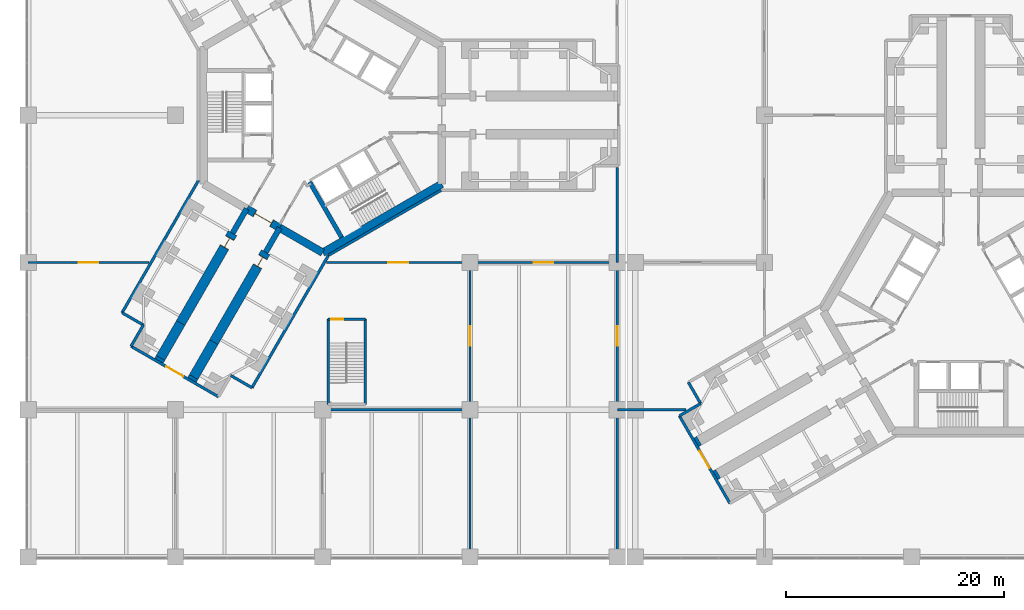
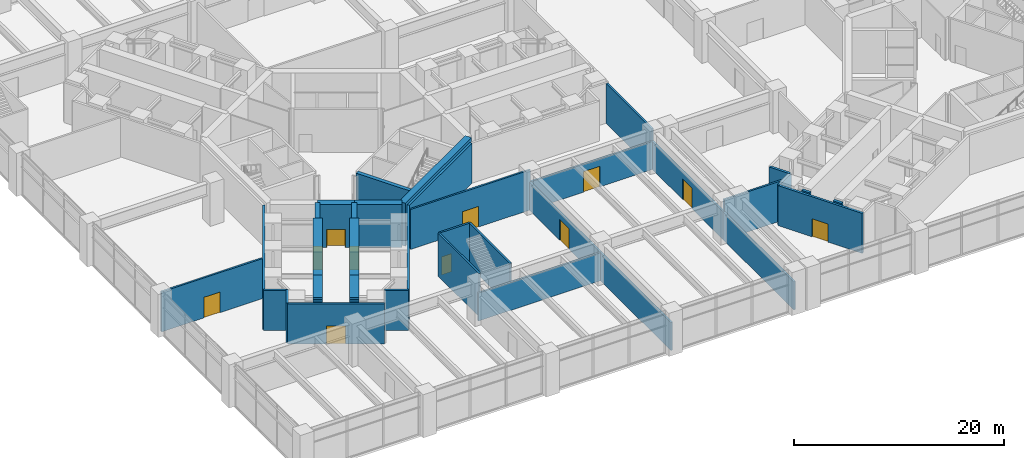
# One storey, part 21 of 31: 37 walls, 11 doors, 11 openings.
"""IFC4 building model written with IfcOpenShell, lengths in metres."""

from ifc_helpers import new_model, si_unit, direction, frame, frame_2d, origin, place, context, subcontext, project, spatial, rectangle, extrude, material, layer, layer_set, type_object, element, fill, save


model = new_model("IFC4")

# Units and contexts
model_context = context("Model", 3, precision=1e-05, world=origin(), true_north=direction((0.0, 1.0)))
body_context = subcontext(model_context, "Body", "Model", "MODEL_VIEW")
ifc_project = project(units=[si_unit("LENGTHUNIT", "METRE"), si_unit("AREAUNIT", "SQUARE_METRE"), si_unit("VOLUMEUNIT", "CUBIC_METRE"), si_unit("PLANEANGLEUNIT", "RADIAN"), si_unit("MASSUNIT", "GRAM", prefix="KILO")], contexts=[model_context])

# Site, building, storey
site_placement = place(None, origin())
site = spatial("IfcSite", under=ifc_project, at=site_placement, CompositionType="ELEMENT")
building_placement = place(site_placement, origin())
building = spatial("IfcBuilding", under=site, at=building_placement, Name="Upepo Twin Towers", CompositionType="ELEMENT")
storey_placement = place(building_placement, frame((0.0, 0.0, 15.5)))
storey = spatial("IfcBuildingStorey", under=building, at=storey_placement, Name="L03", CompositionType="ELEMENT", Elevation=15.5)

# Walls
ifc_material_1 = material(Name="Dense concrete blockwork", Category="masonry")
ifc_layer_1 = layer(ifc_material_1, 0.89990234375)
ifc_layer_set_1 = layer_set([ifc_layer_1], Name="Buttress closer 900, blockwork with fire-stopping to the curtain wall")
wall_type_1 = type_object("IfcWallType", Name="Buttress closer 900, blockwork with fire-stopping to the curtain wall", PredefinedType="PARTITIONING", material=ifc_layer_set_1)
wall_1_placement = place(storey_placement, frame((-11.83447265625, -23.997802734375, 0.0), z_axis=(0.0, 0.0, 1.0), x_axis=(-0.499816412211, -0.866131372301, 0.0)))
element("IfcWall", 1, at=wall_1_placement, inside=storey, type_object=wall_type_1, Name="T1 L03 wing C buttress closer L", PredefinedType="PARTITIONING", context=body_context, shape_type="SweptSolid", body=[
    extrude(rectangle(XDim=0.2998046875, YDim=0.89990234375, at=frame_2d((0.14990234375, 0.0))), origin(), (0.0, 0.0, 1.0), 4.800048828125),
])
for number, where, z_axis, x_axis, name in (
    (2, (-14.865478515625, -22.247802734375, 0.0), (0.0, 0.0, 1.0), (-0.500426713919, -0.865778900179, 0.0), "T1 L03 wing C buttress closer R"),
    (3, (36.252197265625, -32.865478515625, 0.0), (0.0, 0.0, 1.0), (-0.865778900179, -0.500426713919, 0.0), "T2 L03 wing B buttress closer L"),
):
    element("IfcWall", number, at=place(storey_placement, frame(where, z_axis=z_axis, x_axis=x_axis)), inside=storey, type_object=wall_type_1, Name=name, PredefinedType="PARTITIONING", context=body_context, shape_type="SweptSolid", body=[
        extrude(rectangle(XDim=0.300048828125, YDim=0.89990234375, at=frame_2d((0.14990234375, 0.0))), origin(), (0.0, 0.0, 1.0), 4.800048828125),
    ])
wall_2_placement = place(storey_placement, frame((34.502197265625, -29.83447265625, 0.0), z_axis=(0.0, 0.0, 1.0), x_axis=(-0.866131372301, -0.499816412211, 0.0)))
element("IfcWall", 4, at=wall_2_placement, inside=storey, type_object=wall_type_1, Name="T2 L03 wing B buttress closer R", PredefinedType="PARTITIONING", context=body_context, shape_type="SweptSolid", body=[
    extrude(rectangle(XDim=0.2998046875, YDim=0.89990234375, at=frame_2d((0.14990234375, 0.0))), origin(), (0.0, 0.0, 1.0), 4.800048828125),
])
ifc_material_2 = material(Name="Concrete C60/75", Category="concrete")
ifc_layer_2 = layer(ifc_material_2, 0.5)
ifc_layer_set_2 = layer_set([ifc_layer_2], Name="Concrete C60/75")
wall_type_2 = type_object("IfcWallType", Name="Buttress wall 500 RC", PredefinedType="SHEAR", material=ifc_layer_set_2)
for number, where, z_axis, x_axis, name in (
    (5, (-3.938720703125, -10.32177734375, 0.0), (0.0, 0.0, 1.0), (-0.499918158782, -0.866072649678, 0.0), "T1 wing C buttress wall L"),
    (6, (-6.9697265625, -8.57177734375, 0.0), (0.0, 0.0, 1.0), (-0.499988811324, -0.866031863473, 0.0), "T1 wing C buttress wall R"),
):
    element("IfcWall", number, at=place(storey_placement, frame(where, z_axis=z_axis, x_axis=x_axis)), inside=storey, type_object=wall_type_2, Name=name, PredefinedType="SHEAR", context=body_context, shape_type="SweptSolid", body=[
        extrude(rectangle(XDim=2.591796875, YDim=0.5, at=frame_2d((1.2958984375, 0.0))), origin(), (0.0, 0.0, 1.0), 5.0),
    ])

# Wall, opening, door
ifc_material_3 = material(Name="Concrete C60/75", Category="concrete")
ifc_layer_3 = layer(ifc_material_3, 0.89990234375)
ifc_layer_set_3 = layer_set([ifc_layer_3], Name="Concrete C60/75")
wall_type_3 = type_object("IfcWallType", Name="Buttress wall 900 RC", PredefinedType="SHEAR", material=ifc_layer_set_3)
wall_3_placement = place(storey_placement, frame((-5.234375, -12.56640625, 0.0), z_axis=(0.0, 0.0, 1.0), x_axis=(-0.499997557548, -0.86602681393, 0.0)))
wall_3 = element("IfcWall", 7, at=wall_3_placement, inside=storey, type_object=wall_type_3, Name="T1 wing C buttress wall L part 2", PredefinedType="SHEAR", context=body_context, shape_type="SweptSolid", body=[
    extrude(rectangle(XDim=9.5, YDim=0.89990234375, at=frame_2d((4.75, 0.0))), origin(), (0.0, 0.0, 1.0), 5.0),
])
opening_1_placement = place(wall_3_placement, frame((0.5, 0.0, 0.0)))
opening_1 = element("IfcOpeningElement", 8, at=opening_1_placement, cuts=wall_3, Name="Opening D1", PredefinedType="OPENING", context=body_context, shape_type="SweptSolid", body=[
    extrude(rectangle(XDim=1.0, YDim=2.10009765625, at=frame_2d((0.5, 1.050048828125))), frame((0.0, 0.4599609375, 0.0), z_axis=(0.0, -1.0, 0.0), x_axis=(1.0, 0.0, 0.0)), (0.0, 0.0, 1.0), 0.919921875),
])
ifc_material_4 = material(Name="Timber doorset", Category="wood")
door_type_1 = type_object("IfcDoorType", Name="Room door 1000 FD30", OperationType="SINGLE_SWING_LEFT", PredefinedType="DOOR", material=ifc_material_4)
door_1_placement = place(opening_1_placement, origin())
door_1 = element("IfcDoor", 9, at=door_1_placement, inside=storey, type_object=door_type_1, Name="T1 L03 research office door", OperationType="SINGLE_SWING_LEFT", OverallHeight=2.10009765625, OverallWidth=1.0, PredefinedType="DOOR", context=body_context, shape_type="SweptSolid", body=[
    extrude(rectangle(XDim=0.92, YDim=2.06009765625, at=frame_2d((0.5, 1.030029296875))), frame((0.0, 0.02490234375, 0.0), z_axis=(0.0, -1.0, 0.0), x_axis=(1.0, 0.0, 0.0)), (0.0, 0.0, 1.0), 0.050048828125),
    extrude(rectangle(XDim=0.04, YDim=2.10009765625, at=frame_2d((0.02001953125, 1.050048828125))), frame((0.0, 0.44970703125, 0.0), z_axis=(0.0, -1.0, 0.0), x_axis=(1.0, 0.0, 0.0)), (0.0, 0.0, 1.0), 0.8994140625),
    extrude(rectangle(XDim=0.04, YDim=2.10009765625, at=frame_2d((0.97998046875, 1.050048828125))), frame((0.0, 0.44970703125, 0.0), z_axis=(0.0, -1.0, 0.0), x_axis=(1.0, 0.0, 0.0)), (0.0, 0.0, 1.0), 0.8994140625),
    extrude(rectangle(XDim=0.92, YDim=0.04, at=frame_2d((0.5, 2.080078125))), frame((0.0, 0.44970703125, 0.0), z_axis=(0.0, -1.0, 0.0), x_axis=(1.0, 0.0, 0.0)), (0.0, 0.0, 1.0), 0.8994140625),
])
fill(opening_1, door_1)

# Wall
wall_4_placement = place(storey_placement, frame((-9.984375, -20.793701171875, 0.0), z_axis=(0.0, 0.0, 1.0), x_axis=(-0.500042316284, -0.866000971088, 0.0)))
element("IfcWall", 10, at=wall_4_placement, inside=storey, type_object=wall_type_3, Name="T1 wing C buttress wall L part 3", PredefinedType="SHEAR", context=body_context, shape_type="SweptSolid", body=[
    extrude(rectangle(XDim=3.699951171875, YDim=0.89990234375, at=frame_2d((1.85009765625, 0.0))), origin(), (0.0, 0.0, 1.0), 5.0),
])

# Wall, opening, door
wall_5_placement = place(storey_placement, frame((-8.265625, -10.81640625, 0.0), z_axis=(0.0, 0.0, 1.0), x_axis=(-0.499997557548, -0.86602681393, 0.0)))
wall_5 = element("IfcWall", 11, at=wall_5_placement, inside=storey, type_object=wall_type_3, Name="T1 wing C buttress wall R part 2", PredefinedType="SHEAR", context=body_context, shape_type="SweptSolid", body=[
    extrude(rectangle(XDim=9.5, YDim=0.89990234375, at=frame_2d((4.75, 0.0))), origin(), (0.0, 0.0, 1.0), 5.0),
])
opening_2_placement = place(wall_5_placement, frame((0.5, 0.0, 0.0)))
opening_2 = element("IfcOpeningElement", 12, at=opening_2_placement, cuts=wall_5, Name="Opening D1", PredefinedType="OPENING", context=body_context, shape_type="SweptSolid", body=[
    extrude(rectangle(XDim=1.0, YDim=2.10009765625, at=frame_2d((0.5, 1.050048828125))), frame((0.0, 0.4599609375, 0.0), z_axis=(0.0, -1.0, 0.0), x_axis=(1.0, 0.0, 0.0)), (0.0, 0.0, 1.0), 0.919921875),
])
door_2_placement = place(opening_2_placement, origin())
door_2 = element("IfcDoor", 13, at=door_2_placement, inside=storey, type_object=door_type_1, Name="T1 L03 research office door", OperationType="SINGLE_SWING_LEFT", OverallHeight=2.10009765625, OverallWidth=1.0, PredefinedType="DOOR", context=body_context, shape_type="SweptSolid", body=[
    extrude(rectangle(XDim=0.92, YDim=2.06009765625, at=frame_2d((0.5, 1.030029296875))), frame((0.0, 0.02490234375, 0.0), z_axis=(0.0, -1.0, 0.0), x_axis=(1.0, 0.0, 0.0)), (0.0, 0.0, 1.0), 0.050048828125),
    extrude(rectangle(XDim=0.04, YDim=2.10009765625, at=frame_2d((0.02001953125, 1.050048828125))), frame((0.0, 0.44970703125, 0.0), z_axis=(0.0, -1.0, 0.0), x_axis=(1.0, 0.0, 0.0)), (0.0, 0.0, 1.0), 0.8994140625),
    extrude(rectangle(XDim=0.04, YDim=2.10009765625, at=frame_2d((0.97998046875, 1.050048828125))), frame((0.0, 0.44970703125, 0.0), z_axis=(0.0, -1.0, 0.0), x_axis=(1.0, 0.0, 0.0)), (0.0, 0.0, 1.0), 0.8994140625),
    extrude(rectangle(XDim=0.92, YDim=0.04, at=frame_2d((0.5, 2.080078125))), frame((0.0, 0.44970703125, 0.0), z_axis=(0.0, -1.0, 0.0), x_axis=(1.0, 0.0, 0.0)), (0.0, 0.0, 1.0), 0.8994140625),
])
fill(opening_2, door_2)

# Wall
wall_6_placement = place(storey_placement, frame((-13.015625, -19.043701171875, 0.0), z_axis=(0.0, 0.0, 1.0), x_axis=(-0.499992827086, -0.866029545028, 0.0)))
element("IfcWall", 14, at=wall_6_placement, inside=storey, type_object=wall_type_3, Name="T1 wing C buttress wall R part 3", PredefinedType="SHEAR", context=body_context, shape_type="SweptSolid", body=[
    extrude(rectangle(XDim=3.69970703125, YDim=0.89990234375, at=frame_2d((1.849853515625, 0.0))), origin(), (0.0, 0.0, 1.0), 5.0),
])

# Wall, opening, door
ifc_material_5 = material(Name="Concrete C60/75", Category="concrete")
ifc_layer_4 = layer(ifc_material_5, 0.699951171875)
ifc_layer_set_4 = layer_set([ifc_layer_4], Name="Concrete C60/75")
wall_type_4 = type_object("IfcWallType", Name="Core wall 700 RC", PredefinedType="SHEAR", material=ifc_layer_set_4)
wall_7_placement = place(storey_placement, frame((-6.9697265625, -8.57177734375, 0.0), z_axis=(0.0, 0.0, 1.0), x_axis=(0.866019471182, -0.500010275428, 0.0)))
wall_7 = element("IfcWall", 15, at=wall_7_placement, inside=storey, type_object=wall_type_4, Name="T1 core wall 240", PredefinedType="SHEAR", context=body_context, shape_type="SweptSolid", body=[
    extrude(rectangle(XDim=3.5, YDim=0.699951171875, at=frame_2d((1.75, 0.0))), origin(), (0.0, 0.0, 1.0), 5.0),
])
opening_3_placement = place(wall_7_placement, frame((0.85009765625, 0.0, 0.0)))
opening_3 = element("IfcOpeningElement", 16, at=opening_3_placement, cuts=wall_7, Name="Opening D2", PredefinedType="OPENING", context=body_context, shape_type="SweptSolid", body=[
    extrude(rectangle(XDim=1.800048828125, YDim=2.10009765625, at=frame_2d((0.89990234375, 1.050048828125))), frame((0.0, 0.35986328125, 0.0), z_axis=(0.0, -1.0, 0.0), x_axis=(1.0, 0.0, 0.0)), (0.0, 0.0, 1.0), 0.719970703125),
])
ifc_material_6 = material(Name="Timber doorset", Category="wood")
door_type_2 = type_object("IfcDoorType", Name="Corridor double door 1800 FD60", OperationType="DOUBLE_DOOR_DOUBLE_SWING", PredefinedType="DOOR", material=ifc_material_6)
door_3_placement = place(opening_3_placement, origin())
door_3 = element("IfcDoor", 17, at=door_3_placement, inside=storey, type_object=door_type_2, Name="T1 L03 wing C corridor door", OperationType="DOUBLE_DOOR_DOUBLE_SWING", OverallHeight=2.10009765625, OverallWidth=1.800048828125, PredefinedType="DOOR", context=body_context, shape_type="SweptSolid", body=[
    extrude(rectangle(XDim=1.720048828125, YDim=2.06009765625, at=frame_2d((0.89990234375, 1.030029296875))), frame((0.0, 0.02490234375, 0.0), z_axis=(0.0, -1.0, 0.0), x_axis=(1.0, 0.0, 0.0)), (0.0, 0.0, 1.0), 0.050048828125),
    extrude(rectangle(XDim=0.04, YDim=2.10009765625, at=frame_2d((0.02001953125, 1.050048828125))), frame((0.0, 0.349609375, 0.0), z_axis=(0.0, -1.0, 0.0), x_axis=(1.0, 0.0, 0.0)), (0.0, 0.0, 1.0), 0.699462890625),
    extrude(rectangle(XDim=0.04, YDim=2.10009765625, at=frame_2d((1.780029296875, 1.050048828125))), frame((0.0, 0.349609375, 0.0), z_axis=(0.0, -1.0, 0.0), x_axis=(1.0, 0.0, 0.0)), (0.0, 0.0, 1.0), 0.699462890625),
    extrude(rectangle(XDim=1.720048828125, YDim=0.04, at=frame_2d((0.89990234375, 2.080078125))), frame((0.0, 0.349609375, 0.0), z_axis=(0.0, -1.0, 0.0), x_axis=(1.0, 0.0, 0.0)), (0.0, 0.0, 1.0), 0.699462890625),
])
fill(opening_3, door_3)

# Walls
wall_8_placement = place(storey_placement, frame((-3.938720703125, -10.32177734375, 0.0), z_axis=(0.0, 0.0, 1.0), x_axis=(0.866011268655, -0.500024481964, 0.0)))
element("IfcWall", 18, at=wall_8_placement, inside=storey, type_object=wall_type_4, Name="T1 core wall 240 L", PredefinedType="SHEAR", context=body_context, shape_type="SweptSolid", body=[
    extrude(rectangle(XDim=4.548095703125, YDim=0.699951171875, at=frame_2d((2.27392578125, 0.0))), origin(), (0.0, 0.0, 1.0), 5.0),
])
wall_9_placement = place(storey_placement, frame((0.0, -12.595947265625, 0.0), z_axis=(0.0, 0.0, 1.0), x_axis=(0.866021940709, 0.500005998175, 0.0)))
element("IfcWall", 19, at=wall_9_placement, inside=storey, type_object=wall_type_4, Name="T1 core wall 300", PredefinedType="SHEAR", context=body_context, shape_type="SweptSolid", body=[
    extrude(rectangle(XDim=12.595947265625, YDim=0.699951171875, at=frame_2d((6.2978515625, 0.0))), origin(), (0.0, 0.0, 1.0), 5.0),
])

# Wall, opening, door
ifc_material_7 = material(Name="Concrete blockwork", Category="masonry")
ifc_layer_5 = layer(ifc_material_7, 0.199951171875)
ifc_layer_set_5 = layer_set([ifc_layer_5], Name="Podium partition 200 blockwork")
wall_type_5 = type_object("IfcWallType", Name="Podium partition 200 blockwork", PredefinedType="PARTITIONING", material=ifc_layer_set_5)
wall_10_placement = place(storey_placement, frame((-27.0, -13.5, 0.0), z_axis=(0.0, 0.0, 1.0), x_axis=(1.0, 0.0, 0.0)))
wall_10 = element("IfcWall", 20, at=wall_10_placement, inside=storey, type_object=wall_type_5, Name="L03 podium wall Y02", PredefinedType="PARTITIONING", context=body_context, shape_type="SweptSolid", body=[
    extrude(rectangle(XDim=11.065185546875, YDim=0.199951171875, at=frame_2d((5.53271484375, 0.0))), origin(), (0.0, 0.0, 1.0), 4.64990234375),
])
opening_4_placement = place(wall_10_placement, frame((4.632568359375, 0.0, 0.0)))
opening_4 = element("IfcOpeningElement", 21, at=opening_4_placement, cuts=wall_10, Name="Opening D10", PredefinedType="OPENING", context=body_context, shape_type="SweptSolid", body=[
    extrude(rectangle(XDim=1.800048828125, YDim=2.39990234375, at=frame_2d((0.89990234375, 1.199951171875))), frame((0.0, 0.10986328125, 0.0), z_axis=(0.0, -1.0, 0.0), x_axis=(1.0, 0.0, 0.0)), (0.0, 0.0, 1.0), 0.219970703125),
])
ifc_material_8 = material(Name="Timber doorset", Category="wood")
door_type_3 = type_object("IfcDoorType", Name="Podium double door 1800", OperationType="DOUBLE_DOOR_DOUBLE_SWING", PredefinedType="DOOR", material=ifc_material_8)
door_4_placement = place(opening_4_placement, origin())
door_4 = element("IfcDoor", 22, at=door_4_placement, inside=storey, type_object=door_type_3, Name="L03 staff offices 3.01 door", OperationType="DOUBLE_DOOR_DOUBLE_SWING", OverallHeight=2.39990234375, OverallWidth=1.800048828125, PredefinedType="DOOR", context=body_context, shape_type="SweptSolid", body=[
    extrude(rectangle(XDim=1.800048828125, YDim=2.39990234375, at=frame_2d((0.89990234375, 1.199951171875))), frame((0.0, 0.02490234375, 0.0), z_axis=(0.0, -1.0, 0.0), x_axis=(1.0, 0.0, 0.0)), (0.0, 0.0, 1.0), 0.050048828125),
])
fill(opening_4, door_4)

# Walls
for number, where, z_axis, x_axis, name in (
    (23, (13.5, -40.5, 0.0), (0.0, 0.0, 1.0), (0.0, 1.0, 0.0), "L03 podium wall X30"),
    (24, (0.0, -27.0, 0.0), (0.0, 0.0, 1.0), (1.0, 0.0, 0.0), "L03 podium wall Y21"),
):
    element("IfcWall", number, at=place(storey_placement, frame(where, z_axis=z_axis, x_axis=x_axis)), inside=storey, type_object=wall_type_5, Name=name, PredefinedType="PARTITIONING", context=body_context, shape_type="SweptSolid", body=[
        extrude(rectangle(XDim=13.5, YDim=0.199951171875, at=frame_2d((6.75, 0.0))), origin(), (0.0, 0.0, 1.0), 3.25),
    ])

# Wall, opening, door
wall_11_placement = place(storey_placement, frame((13.5, -27.0, 0.0), z_axis=(0.0, 0.0, 1.0), x_axis=(0.0, 1.0, 0.0)))
wall_11 = element("IfcWall", 25, at=wall_11_placement, inside=storey, type_object=wall_type_5, Name="L03 podium wall X31", PredefinedType="PARTITIONING", context=body_context, shape_type="SweptSolid", body=[
    extrude(rectangle(XDim=13.5, YDim=0.199951171875, at=frame_2d((6.75, 0.0))), origin(), (0.0, 0.0, 1.0), 3.25),
])
opening_5_placement = place(wall_11_placement, frame((5.85009765625, 0.0, 0.0)))
opening_5 = element("IfcOpeningElement", 26, at=opening_5_placement, cuts=wall_11, Name="Opening D10", PredefinedType="OPENING", context=body_context, shape_type="SweptSolid", body=[
    extrude(rectangle(XDim=1.800048828125, YDim=2.39990234375, at=frame_2d((0.89990234375, 1.199951171875))), frame((0.0, 0.10986328125, 0.0), z_axis=(0.0, -1.0, 0.0), x_axis=(1.0, 0.0, 0.0)), (0.0, 0.0, 1.0), 0.219970703125),
])
door_5_placement = place(opening_5_placement, origin())
door_5 = element("IfcDoor", 27, at=door_5_placement, inside=storey, type_object=door_type_3, Name="L03 media production studio door", OperationType="DOUBLE_DOOR_DOUBLE_SWING", OverallHeight=2.39990234375, OverallWidth=1.800048828125, PredefinedType="DOOR", context=body_context, shape_type="SweptSolid", body=[
    extrude(rectangle(XDim=1.800048828125, YDim=2.39990234375, at=frame_2d((0.89990234375, 1.199951171875))), frame((0.0, 0.02490234375, 0.0), z_axis=(0.0, -1.0, 0.0), x_axis=(1.0, 0.0, 0.0)), (0.0, 0.0, 1.0), 0.050048828125),
])
fill(opening_5, door_5)

wall_12_placement = place(storey_placement, frame((0.346435546875, -13.5, 0.0), z_axis=(0.0, 0.0, 1.0), x_axis=(1.0, 0.0, 0.0)))
wall_12 = element("IfcWall", 28, at=wall_12_placement, inside=storey, type_object=wall_type_5, Name="L03 podium wall Y22", PredefinedType="PARTITIONING", context=body_context, shape_type="SweptSolid", body=[
    extrude(rectangle(XDim=13.153564453125, YDim=0.199951171875, at=frame_2d((6.57666015625, 0.0))), origin(), (0.0, 0.0, 1.0), 4.64990234375),
])
opening_6_placement = place(wall_12_placement, frame((5.6767578125, 0.0, 0.0)))
opening_6 = element("IfcOpeningElement", 29, at=opening_6_placement, cuts=wall_12, Name="Opening D10", PredefinedType="OPENING", context=body_context, shape_type="SweptSolid", body=[
    extrude(rectangle(XDim=1.800048828125, YDim=2.39990234375, at=frame_2d((0.89990234375, 1.199951171875))), frame((0.0, 0.10986328125, 0.0), z_axis=(0.0, -1.0, 0.0), x_axis=(1.0, 0.0, 0.0)), (0.0, 0.0, 1.0), 0.219970703125),
])
door_6_placement = place(opening_6_placement, origin())
door_6 = element("IfcDoor", 30, at=door_6_placement, inside=storey, type_object=door_type_3, Name="L03 store door", OperationType="DOUBLE_DOOR_DOUBLE_SWING", OverallHeight=2.39990234375, OverallWidth=1.800048828125, PredefinedType="DOOR", context=body_context, shape_type="SweptSolid", body=[
    extrude(rectangle(XDim=1.800048828125, YDim=2.39990234375, at=frame_2d((0.89990234375, 1.199951171875))), frame((0.0, 0.02490234375, 0.0), z_axis=(0.0, -1.0, 0.0), x_axis=(1.0, 0.0, 0.0)), (0.0, 0.0, 1.0), 0.050048828125),
])
fill(opening_6, door_6)

# Wall
wall_13_placement = place(storey_placement, frame((27.0, -40.5, 0.0), z_axis=(0.0, 0.0, 1.0), x_axis=(0.0, 1.0, 0.0)))
element("IfcWall", 31, at=wall_13_placement, inside=storey, type_object=wall_type_5, Name="L03 podium wall X40", PredefinedType="PARTITIONING", context=body_context, shape_type="SweptSolid", body=[
    extrude(rectangle(XDim=13.5, YDim=0.199951171875, at=frame_2d((6.75, 0.0))), origin(), (0.0, 0.0, 1.0), 3.25),
])

# Wall, opening, door
wall_14_placement = place(storey_placement, frame((27.0, -27.0, 0.0), z_axis=(0.0, 0.0, 1.0), x_axis=(0.0, 1.0, 0.0)))
wall_14 = element("IfcWall", 32, at=wall_14_placement, inside=storey, type_object=wall_type_5, Name="L03 podium wall X41", PredefinedType="PARTITIONING", context=body_context, shape_type="SweptSolid", body=[
    extrude(rectangle(XDim=13.5, YDim=0.199951171875, at=frame_2d((6.75, 0.0))), origin(), (0.0, 0.0, 1.0), 3.25),
])
opening_7_placement = place(wall_14_placement, frame((5.85009765625, 0.0, 0.0)))
opening_7 = element("IfcOpeningElement", 33, at=opening_7_placement, cuts=wall_14, Name="Opening D10", PredefinedType="OPENING", context=body_context, shape_type="SweptSolid", body=[
    extrude(rectangle(XDim=1.800048828125, YDim=2.39990234375, at=frame_2d((0.89990234375, 1.199951171875))), frame((0.0, 0.10986328125, 0.0), z_axis=(0.0, -1.0, 0.0), x_axis=(1.0, 0.0, 0.0)), (0.0, 0.0, 1.0), 0.219970703125),
])
door_7_placement = place(opening_7_placement, origin())
door_7 = element("IfcDoor", 34, at=door_7_placement, inside=storey, type_object=door_type_3, Name="L03 media production studio-laboratory store door", OperationType="DOUBLE_DOOR_DOUBLE_SWING", OverallHeight=2.39990234375, OverallWidth=1.800048828125, PredefinedType="DOOR", context=body_context, shape_type="SweptSolid", body=[
    extrude(rectangle(XDim=1.800048828125, YDim=2.39990234375, at=frame_2d((0.89990234375, 1.199951171875))), frame((0.0, 0.02490234375, 0.0), z_axis=(0.0, -1.0, 0.0), x_axis=(1.0, 0.0, 0.0)), (0.0, 0.0, 1.0), 0.050048828125),
])
fill(opening_7, door_7)

wall_15_placement = place(storey_placement, frame((13.5, -13.5, 0.0), z_axis=(0.0, 0.0, 1.0), x_axis=(1.0, 0.0, 0.0)))
wall_15 = element("IfcWall", 35, at=wall_15_placement, inside=storey, type_object=wall_type_5, Name="L03 podium wall Y32", PredefinedType="PARTITIONING", context=body_context, shape_type="SweptSolid", body=[
    extrude(rectangle(XDim=13.5, YDim=0.199951171875, at=frame_2d((6.75, 0.0))), origin(), (0.0, 0.0, 1.0), 3.25),
])
opening_8_placement = place(wall_15_placement, frame((5.85009765625, 0.0, 0.0)))
opening_8 = element("IfcOpeningElement", 36, at=opening_8_placement, cuts=wall_15, Name="Opening D10", PredefinedType="OPENING", context=body_context, shape_type="SweptSolid", body=[
    extrude(rectangle(XDim=1.800048828125, YDim=2.39990234375, at=frame_2d((0.89990234375, 1.199951171875))), frame((0.0, 0.10986328125, 0.0), z_axis=(0.0, -1.0, 0.0), x_axis=(1.0, 0.0, 0.0)), (0.0, 0.0, 1.0), 0.219970703125),
])
door_8_placement = place(opening_8_placement, origin())
door_8 = element("IfcDoor", 37, at=door_8_placement, inside=storey, type_object=door_type_3, Name="L03 media production studio-store door", OperationType="DOUBLE_DOOR_DOUBLE_SWING", OverallHeight=2.39990234375, OverallWidth=1.800048828125, PredefinedType="DOOR", context=body_context, shape_type="SweptSolid", body=[
    extrude(rectangle(XDim=1.800048828125, YDim=2.39990234375, at=frame_2d((0.89990234375, 1.199951171875))), frame((0.0, 0.02490234375, 0.0), z_axis=(0.0, -1.0, 0.0), x_axis=(1.0, 0.0, 0.0)), (0.0, 0.0, 1.0), 0.050048828125),
])
fill(opening_8, door_8)

# Walls
wall_16_placement = place(storey_placement, frame((27.0, -13.5, 0.0), z_axis=(0.0, 0.0, 1.0), x_axis=(0.0, 1.0, 0.0)))
element("IfcWall", 38, at=wall_16_placement, inside=storey, type_object=wall_type_5, Name="L03 podium wall X42", PredefinedType="PARTITIONING", context=body_context, shape_type="SweptSolid", body=[
    extrude(rectangle(XDim=8.699951171875, YDim=0.199951171875, at=frame_2d((4.35009765625, 0.0))), origin(), (0.0, 0.0, 1.0), 4.64990234375),
])
wall_17_placement = place(storey_placement, frame((27.0, -27.0, 0.0), z_axis=(0.0, 0.0, 1.0), x_axis=(1.0, 0.0, 0.0)))
element("IfcWall", 39, at=wall_17_placement, inside=storey, type_object=wall_type_5, Name="L03 podium wall Y41", PredefinedType="PARTITIONING", context=body_context, shape_type="SweptSolid", body=[
    extrude(rectangle(XDim=6.3115234375, YDim=0.199951171875, at=frame_2d((3.15576171875, 0.0))), origin(), (0.0, 0.0, 1.0), 4.64990234375),
])
ifc_material_9 = material(Name="Concrete C40/50", Category="concrete")
ifc_layer_6 = layer(ifc_material_9, 0.199951171875)
ifc_layer_set_6 = layer_set([ifc_layer_6], Name="Concrete C40/50")
wall_type_6 = type_object("IfcWallType", Name="Podium stair enclosure 200 RC", PredefinedType="SHEAR", material=ifc_layer_set_6)
wall_18_placement = place(storey_placement, frame((3.89990234375, -26.5, 0.0), z_axis=(0.0, 0.0, 1.0), x_axis=(0.0, 1.0, 0.0)))
element("IfcWall", 40, at=wall_18_placement, inside=storey, type_object=wall_type_6, Name="PS3 L03 enclosure wall 2", PredefinedType="SHEAR", context=body_context, shape_type="SweptSolid", body=[
    extrude(rectangle(XDim=7.800048828125, YDim=0.199951171875, at=frame_2d((3.89990234375, 0.0))), origin(), (0.0, 0.0, 1.0), 5.0),
])

# Wall, opening, door
wall_19_placement = place(storey_placement, frame((3.89990234375, -18.699951171875, 0.0), z_axis=(0.0, 0.0, 1.0), x_axis=(-1.0, 0.0, 0.0)))
wall_19 = element("IfcWall", 41, at=wall_19_placement, inside=storey, type_object=wall_type_6, Name="PS3 L03 enclosure wall 3", PredefinedType="SHEAR", context=body_context, shape_type="SweptSolid", body=[
    extrude(rectangle(XDim=3.39990234375, YDim=0.199951171875, at=frame_2d((1.699951171875, 0.0))), origin(), (0.0, 0.0, 1.0), 5.0),
])
opening_9_placement = place(wall_19_placement, frame((2.0, 0.0, 0.0)))
opening_9 = element("IfcOpeningElement", 42, at=opening_9_placement, cuts=wall_19, Name="Opening D3", PredefinedType="OPENING", context=body_context, shape_type="SweptSolid", body=[
    extrude(rectangle(XDim=1.10009765625, YDim=2.10009765625, at=frame_2d((0.550048828125, 1.050048828125))), frame((0.0, 0.10986328125, 0.0), z_axis=(0.0, -1.0, 0.0), x_axis=(1.0, 0.0, 0.0)), (0.0, 0.0, 1.0), 0.219970703125),
])
ifc_material_10 = material(Name="Timber doorset", Category="wood")
door_type_4 = type_object("IfcDoorType", Name="Stair door 1100 FD60", OperationType="SINGLE_SWING_LEFT", PredefinedType="DOOR", material=ifc_material_10)
door_9_placement = place(opening_9_placement, origin())
door_9 = element("IfcDoor", 43, at=door_9_placement, inside=storey, type_object=door_type_4, Name="PS3 L03 door", OperationType="SINGLE_SWING_RIGHT", OverallHeight=2.10009765625, OverallWidth=1.10009765625, PredefinedType="DOOR", context=body_context, shape_type="SweptSolid", body=[
    extrude(rectangle(XDim=1.10009765625, YDim=2.10009765625, at=frame_2d((0.550048828125, 1.050048828125))), frame((0.0, 0.02490234375, 0.0), z_axis=(0.0, -1.0, 0.0), x_axis=(1.0, 0.0, 0.0)), (0.0, 0.0, 1.0), 0.050048828125),
])
fill(opening_9, door_9)

# Walls
wall_20_placement = place(storey_placement, frame((0.5, -18.699951171875, 0.0), z_axis=(0.0, 0.0, 1.0), x_axis=(0.0, -1.0, 0.0)))
element("IfcWall", 44, at=wall_20_placement, inside=storey, type_object=wall_type_6, Name="PS3 L03 enclosure wall 4", PredefinedType="SHEAR", context=body_context, shape_type="SweptSolid", body=[
    extrude(rectangle(XDim=7.800048828125, YDim=0.199951171875, at=frame_2d((3.89990234375, 0.0))), origin(), (0.0, 0.0, 1.0), 5.0),
])
ifc_material_11 = material(Name="Concrete C40/50", Category="concrete")
ifc_layer_7 = layer(ifc_material_11, 0.39990234375)
ifc_layer_set_7 = layer_set([ifc_layer_7], Name="Concrete C40/50")
wall_type_7 = type_object("IfcWallType", Name="Shaft wall 400 RC", PredefinedType="SHEAR", material=ifc_layer_set_7)
wall_21_placement = place(storey_placement, frame((-1.20068359375, -6.120361328125, 0.0), z_axis=(0.0, 0.0, 1.0), x_axis=(0.500002627198, -0.866023886965, 0.0)))
element("IfcWall", 45, at=wall_21_placement, inside=storey, type_object=wall_type_7, Name="T1 core W300 side wall S", PredefinedType="SHEAR", context=body_context, shape_type="SweptSolid", body=[
    extrude(rectangle(XDim=5.8583984375, YDim=0.39990234375, at=frame_2d((2.92919921875, 0.0))), origin(), (0.0, 0.0, 1.0), 5.0),
])

# Wall, opening, door
ifc_material_12 = material(Name="Concrete blockwork", Category="masonry")
ifc_layer_8 = layer(ifc_material_12, 0.25)
ifc_layer_set_8 = layer_set([ifc_layer_8], Name="Tower enclosure wall 250 blockwork")
wall_type_8 = type_object("IfcWallType", Name="Tower enclosure wall 250 blockwork", PredefinedType="STANDARD", material=ifc_layer_set_8)
wall_22_placement = place(storey_placement, frame((-9.55712890625, -25.803466796875, 0.0), z_axis=(0.0, 0.0, 1.0), x_axis=(-0.866025598446, 0.499999662836, 0.0)))
wall_22 = element("IfcWall", 46, at=wall_22_placement, inside=storey, type_object=wall_type_8, Name="T1 L03 enclosure wall 2", PredefinedType="STANDARD", context=body_context, shape_type="SweptSolid", body=[
    extrude(rectangle(XDim=9.25, YDim=0.25, at=frame_2d((4.625, 0.0))), origin(), (0.0, 0.0, 1.0), 4.64990234375),
])
opening_10_placement = place(wall_22_placement, frame((3.72509765625, 0.0, 0.0)))
opening_10 = element("IfcOpeningElement", 47, at=opening_10_placement, cuts=wall_22, Name="Opening D2", PredefinedType="OPENING", context=body_context, shape_type="SweptSolid", body=[
    extrude(rectangle(XDim=1.800048828125, YDim=2.10009765625, at=frame_2d((0.89990234375, 1.050048828125))), frame((0.0, 0.135009765625, 0.0), z_axis=(0.0, -1.0, 0.0), x_axis=(1.0, 0.0, 0.0)), (0.0, 0.0, 1.0), 0.27001953125),
])
door_10_placement = place(opening_10_placement, origin())
door_10 = element("IfcDoor", 48, at=door_10_placement, inside=storey, type_object=door_type_2, Name="T1 L03 wing C podium door", OperationType="DOUBLE_DOOR_DOUBLE_SWING", OverallHeight=2.10009765625, OverallWidth=1.800048828125, PredefinedType="DOOR", context=body_context, shape_type="SweptSolid", body=[
    extrude(rectangle(XDim=1.800048828125, YDim=2.10009765625, at=frame_2d((0.89990234375, 1.050048828125))), frame((0.0, 0.02490234375, 0.0), z_axis=(0.0, -1.0, 0.0), x_axis=(1.0, 0.0, 0.0)), (0.0, 0.0, 1.0), 0.050048828125),
])
fill(opening_10, door_10)

# Walls
for number, where, z_axis, x_axis, name in (
    (49, (-17.56787109375, -21.178466796875, 0.0), (0.0, 0.0, 1.0), (0.500013631625, 0.866017533419, 0.0), "T1 L03 enclosure wall 3"),
    (50, (-16.44287109375, -19.22998046875, 0.0), (0.0, 0.0, 1.0), (-0.866017533419, 0.500013631625, 0.0), "T1 L03 enclosure wall 4"),
):
    element("IfcWall", number, at=place(storey_placement, frame(where, z_axis=z_axis, x_axis=x_axis)), inside=storey, type_object=wall_type_8, Name=name, PredefinedType="STANDARD", context=body_context, shape_type="SweptSolid", body=[
        extrude(rectangle(XDim=2.25, YDim=0.25, at=frame_2d((1.125, 0.0))), origin(), (0.0, 0.0, 1.0), 4.64990234375),
    ])
wall_23_placement = place(storey_placement, frame((-18.391357421875, -18.10498046875, 0.0), z_axis=(0.0, 0.0, 1.0), x_axis=(0.499996367808, 0.866027500821, 0.0)))
element("IfcWall", 51, at=wall_23_placement, inside=storey, type_object=wall_type_8, Name="T1 L03 enclosure wall 5", PredefinedType="STANDARD", context=body_context, shape_type="SweptSolid", body=[
    extrude(rectangle(XDim=14.01611328125, YDim=0.25, at=frame_2d((7.008056640625, 0.0))), origin(), (0.0, 0.0, 1.0), 4.64990234375),
])
wall_24_placement = place(storey_placement, frame((10.85888671875, -6.875, 0.0), z_axis=(0.0, 0.0, 1.0), x_axis=(-0.866027502425, -0.499996365031, 0.0)))
element("IfcWall", 52, at=wall_24_placement, inside=storey, type_object=wall_type_8, Name="T1 L03 enclosure wall 22", PredefinedType="STANDARD", context=body_context, shape_type="SweptSolid", body=[
    extrude(rectangle(XDim=11.93310546875, YDim=0.25, at=frame_2d((5.966552734375, 0.0))), origin(), (0.0, 0.0, 1.0), 4.64990234375),
])
wall_25_placement = place(storey_placement, frame((0.5244140625, -12.841552734375, 0.0), z_axis=(0.0, 0.0, 1.0), x_axis=(-0.499996367808, -0.866027500821, 0.0)))
element("IfcWall", 53, at=wall_25_placement, inside=storey, type_object=wall_type_8, Name="T1 L03 enclosure wall 23", PredefinedType="STANDARD", context=body_context, shape_type="SweptSolid", body=[
    extrude(rectangle(XDim=14.01611328125, YDim=0.25, at=frame_2d((7.008056640625, 0.0))), origin(), (0.0, 0.0, 1.0), 4.64990234375),
])
wall_26_placement = place(storey_placement, frame((-6.483642578125, -24.97998046875, 0.0), z_axis=(0.0, 0.0, 1.0), x_axis=(-0.866017533419, 0.500013631625, 0.0)))
element("IfcWall", 54, at=wall_26_placement, inside=storey, type_object=wall_type_8, Name="T1 L03 enclosure wall 24", PredefinedType="STANDARD", context=body_context, shape_type="SweptSolid", body=[
    extrude(rectangle(XDim=2.25, YDim=0.25, at=frame_2d((1.125, 0.0))), origin(), (0.0, 0.0, 1.0), 4.64990234375),
])

# Wall, opening, door
wall_27_placement = place(storey_placement, frame((37.321533203125, -35.56787109375, 0.0), z_axis=(0.0, 0.0, 1.0), x_axis=(-0.499999662836, 0.866025598446, 0.0)))
wall_27 = element("IfcWall", 55, at=wall_27_placement, inside=storey, type_object=wall_type_8, Name="T2 L03 enclosure wall 10", PredefinedType="STANDARD", context=body_context, shape_type="SweptSolid", body=[
    extrude(rectangle(XDim=9.25, YDim=0.25, at=frame_2d((4.625, 0.0))), origin(), (0.0, 0.0, 1.0), 4.64990234375),
])
opening_11_placement = place(wall_27_placement, frame((3.72509765625, 0.0, 0.0)))
opening_11 = element("IfcOpeningElement", 56, at=opening_11_placement, cuts=wall_27, Name="Opening D2", PredefinedType="OPENING", context=body_context, shape_type="SweptSolid", body=[
    extrude(rectangle(XDim=1.800048828125, YDim=2.10009765625, at=frame_2d((0.89990234375, 1.050048828125))), frame((0.0, 0.135009765625, 0.0), z_axis=(0.0, -1.0, 0.0), x_axis=(1.0, 0.0, 0.0)), (0.0, 0.0, 1.0), 0.27001953125),
])
door_11_placement = place(opening_11_placement, origin())
door_11 = element("IfcDoor", 57, at=door_11_placement, inside=storey, type_object=door_type_2, Name="T2 L03 wing B podium door", OperationType="DOUBLE_DOOR_DOUBLE_SWING", OverallHeight=2.10009765625, OverallWidth=1.800048828125, PredefinedType="DOOR", context=body_context, shape_type="SweptSolid", body=[
    extrude(rectangle(XDim=1.800048828125, YDim=2.10009765625, at=frame_2d((0.89990234375, 1.050048828125))), frame((0.0, 0.02490234375, 0.0), z_axis=(0.0, -1.0, 0.0), x_axis=(1.0, 0.0, 0.0)), (0.0, 0.0, 1.0), 0.050048828125),
])
fill(opening_11, door_11)

# Walls
for number, where, z_axis, x_axis, name in (
    (58, (32.696533203125, -27.55712890625, 0.0), (0.0, 0.0, 1.0), (0.866017533419, 0.500013631625, 0.0), "T2 L03 enclosure wall 11"),
    (59, (34.64501953125, -26.43212890625, 0.0), (0.0, 0.0, 1.0), (-0.500013631625, 0.866017533419, 0.0), "T2 L03 enclosure wall 12"),
):
    element("IfcWall", number, at=place(storey_placement, frame(where, z_axis=z_axis, x_axis=x_axis)), inside=storey, type_object=wall_type_8, Name=name, PredefinedType="STANDARD", context=body_context, shape_type="SweptSolid", body=[
        extrude(rectangle(XDim=2.25, YDim=0.25, at=frame_2d((1.125, 0.0))), origin(), (0.0, 0.0, 1.0), 4.64990234375),
    ])

save(model, "model.ifc")
